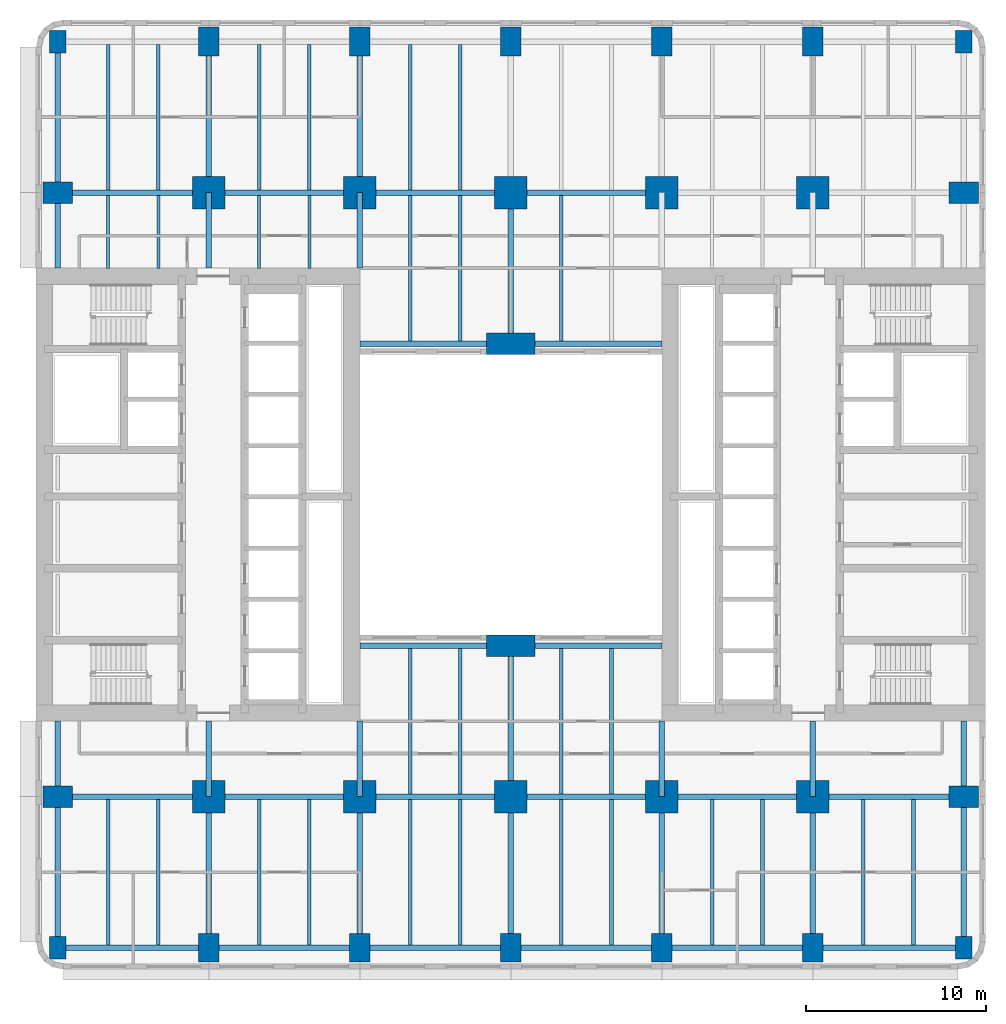
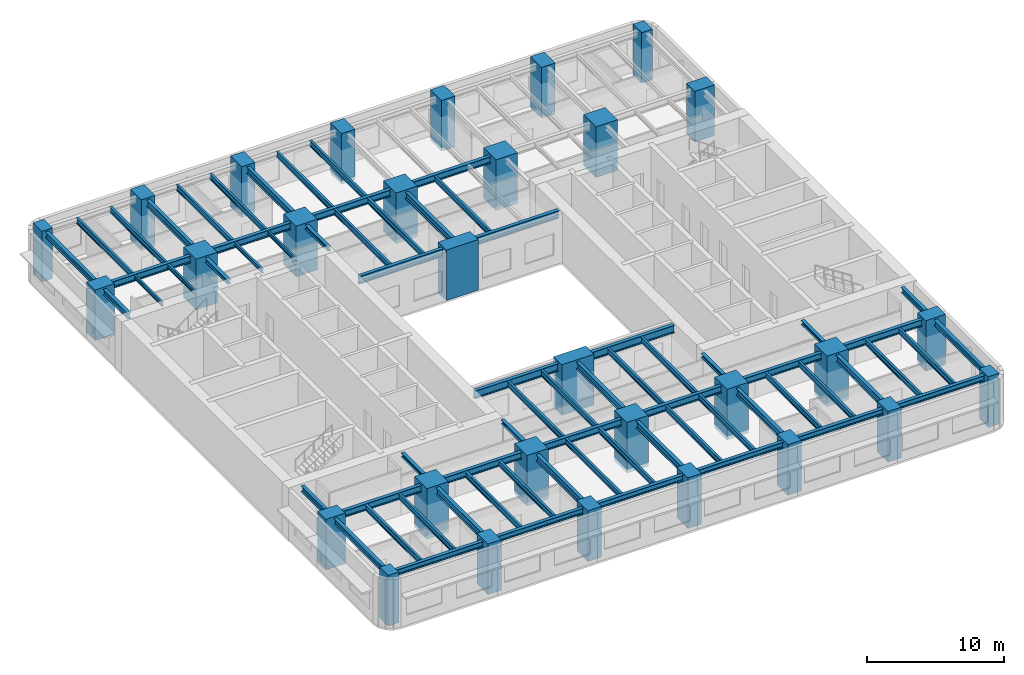
# One storey, part 1 of 14: 70 beams, 30 columns.
"""IFC4 building model written with IfcOpenShell, lengths in metres."""

from ifc_helpers import new_model, si_unit, direction, frame, origin, origin_2d, place, context, subcontext, project, spatial, rectangle, i_section, extrude, material, material_profile, profile_set, type_object, element, save


model = new_model("IFC4")

# Units and contexts
model_context = context("Model", 3, precision=1e-05, world=origin(), true_north=direction((0.0, 1.0)))
body_context = subcontext(model_context, "Body", "Model", "MODEL_VIEW")
ifc_project = project(units=[si_unit("LENGTHUNIT", "METRE"), si_unit("AREAUNIT", "SQUARE_METRE"), si_unit("VOLUMEUNIT", "CUBIC_METRE"), si_unit("PLANEANGLEUNIT", "RADIAN"), si_unit("MASSUNIT", "GRAM", prefix="KILO")], contexts=[model_context])

# Site, building, storey
site_placement = place(None, origin())
site = spatial("IfcSite", under=ifc_project, at=site_placement, CompositionType="ELEMENT")
building_placement = place(site_placement, origin())
building = spatial("IfcBuilding", under=site, at=building_placement, Name="Claustro Exchange Tower", CompositionType="ELEMENT")
storey_placement = place(building_placement, frame((0.0, 0.0, 27.89990234375)))
storey = spatial("IfcBuildingStorey", under=building, at=storey_placement, Name="L06", CompositionType="ELEMENT", Elevation=27.89990234375)

# Columns
ifc_material_1 = material(Name="Concrete HA-70 (C70/85)", Category="concrete")
ifc_material_profile_1 = material_profile(ifc_material_1, rectangle(XDim=1.800048828125, YDim=1.800048828125, at=origin_2d()), Name="RC 1800x1800")
ifc_profile_set_1 = profile_set([ifc_material_profile_1], Name="Concrete HA-70 (C70/85)")
column_type_1 = type_object("IfcColumnType", Name="C14 RC 1800x1800 HA-70 column", PredefinedType="COLUMN", material=ifc_profile_set_1)
for number, where, z_axis, x_axis, name in (
    (1, (8.39990234375, 8.39990234375, 0.0), (0.0, 0.0, 1.0), (1.0, 0.0, 0.0), "Column C14 2/B L06"),
    (2, (8.39990234375, 42.0, 0.0), (0.0, 0.0, 1.0), (1.0, 0.0, 0.0), "Column C14 2/F L06"),
    (3, (16.800048828125, 8.39990234375, 0.0), (0.0, 0.0, 1.0), (1.0, 0.0, 0.0), "Column C14 3/B L06"),
    (4, (16.800048828125, 42.0, 0.0), (0.0, 0.0, 1.0), (1.0, 0.0, 0.0), "Column C14 3/F L06"),
    (5, (25.199951171875, 8.39990234375, 0.0), (0.0, 0.0, 1.0), (1.0, 0.0, 0.0), "Column C14 4/B L06"),
    (6, (25.199951171875, 42.0, 0.0), (0.0, 0.0, 1.0), (1.0, 0.0, 0.0), "Column C14 4/F L06"),
    (7, (33.60009765625, 8.39990234375, 0.0), (0.0, 0.0, 1.0), (1.0, 0.0, 0.0), "Column C14 5/B L06"),
    (8, (33.60009765625, 42.0, 0.0), (0.0, 0.0, 1.0), (1.0, 0.0, 0.0), "Column C14 5/F L06"),
    (9, (42.0, 8.39990234375, 0.0), (0.0, 0.0, 1.0), (1.0, 0.0, 0.0), "Column C14 6/B L06"),
    (10, (42.0, 42.0, 0.0), (0.0, 0.0, 1.0), (1.0, 0.0, 0.0), "Column C14 6/F L06"),
):
    element("IfcColumn", number, at=place(storey_placement, frame(where, z_axis=z_axis, x_axis=x_axis)), inside=storey, type_object=column_type_1, Name=name, PredefinedType="COLUMN", context=body_context, shape_type="SweptSolid", body=[
        extrude(rectangle(XDim=1.800048828125, YDim=1.800048828125, at=origin_2d()), origin(), (0.0, 0.0, 1.0), 4.5),
    ])
ifc_material_2 = material(Name="Concrete HA-70 (C70/85)", Category="concrete")
ifc_material_profile_2 = material_profile(ifc_material_2, rectangle(XDim=1.199951171875, YDim=1.64990234375, at=origin_2d()), Name="RC 1200x1650")
ifc_profile_set_2 = profile_set([ifc_material_profile_2], Name="Concrete HA-70 (C70/85)")
column_type_2 = type_object("IfcColumnType", Name="C19 RC 1200x1650 HA-70 perimeter column", PredefinedType="COLUMN", material=ifc_profile_set_2)
for number, where, z_axis, x_axis, name in (
    (11, (0.0, 8.39990234375, 0.0), (0.0, 0.0, 1.0), (0.0, 1.0, 0.0), "Column C19 1/B L06"),
    (12, (0.0, 42.0, 0.0), (0.0, 0.0, 1.0), (0.0, 1.0, 0.0), "Column C19 1/F L06"),
    (13, (50.39990234375, 8.39990234375, 0.0), (0.0, 0.0, 1.0), (0.0, 1.0, 0.0), "Column C19 7/B L06"),
    (14, (50.39990234375, 42.0, 0.0), (0.0, 0.0, 1.0), (0.0, 1.0, 0.0), "Column C19 7/F L06"),
):
    element("IfcColumn", number, at=place(storey_placement, frame(where, z_axis=z_axis, x_axis=x_axis)), inside=storey, type_object=column_type_2, Name=name, PredefinedType="COLUMN", context=body_context, shape_type="SweptSolid", body=[
        extrude(rectangle(XDim=1.199951171875, YDim=1.64990234375, at=origin_2d()), origin(), (0.0, 0.0, 1.0), 4.5),
    ])
ifc_material_3 = material(Name="Concrete HA-70 (C70/85)", Category="concrete")
ifc_material_profile_3 = material_profile(ifc_material_3, rectangle(XDim=1.14990234375, YDim=1.60009765625, at=origin_2d()), Name="RC 1150x1600")
ifc_profile_set_3 = profile_set([ifc_material_profile_3], Name="Concrete HA-70 (C70/85)")
column_type_3 = type_object("IfcColumnType", Name="C20 RC 1150x1600 HA-70 perimeter column", PredefinedType="COLUMN", material=ifc_profile_set_3)
for number, where, z_axis, x_axis, name in (
    (15, (8.39990234375, 0.0, 0.0), (0.0, 0.0, 1.0), (1.0, 0.0, 0.0), "Column C20 2/A L06"),
    (16, (8.39990234375, 50.39990234375, 0.0), (0.0, 0.0, 1.0), (1.0, 0.0, 0.0), "Column C20 2/G L06"),
    (17, (16.800048828125, 0.0, 0.0), (0.0, 0.0, 1.0), (1.0, 0.0, 0.0), "Column C20 3/A L06"),
    (18, (16.800048828125, 50.39990234375, 0.0), (0.0, 0.0, 1.0), (1.0, 0.0, 0.0), "Column C20 3/G L06"),
    (19, (25.199951171875, 0.0, 0.0), (0.0, 0.0, 1.0), (1.0, 0.0, 0.0), "Column C20 4/A L06"),
    (20, (25.199951171875, 50.39990234375, 0.0), (0.0, 0.0, 1.0), (1.0, 0.0, 0.0), "Column C20 4/G L06"),
    (21, (33.60009765625, 0.0, 0.0), (0.0, 0.0, 1.0), (1.0, 0.0, 0.0), "Column C20 5/A L06"),
    (22, (33.60009765625, 50.39990234375, 0.0), (0.0, 0.0, 1.0), (1.0, 0.0, 0.0), "Column C20 5/G L06"),
    (23, (42.0, 0.0, 0.0), (0.0, 0.0, 1.0), (1.0, 0.0, 0.0), "Column C20 6/A L06"),
    (24, (42.0, 50.39990234375, 0.0), (0.0, 0.0, 1.0), (1.0, 0.0, 0.0), "Column C20 6/G L06"),
):
    element("IfcColumn", number, at=place(storey_placement, frame(where, z_axis=z_axis, x_axis=x_axis)), inside=storey, type_object=column_type_3, Name=name, PredefinedType="COLUMN", context=body_context, shape_type="SweptSolid", body=[
        extrude(rectangle(XDim=1.14990234375, YDim=1.60009765625, at=origin_2d()), origin(), (0.0, 0.0, 1.0), 4.5),
    ])
ifc_material_4 = material(Name="Concrete HA-70 (C70/85)", Category="concrete")
ifc_material_profile_4 = material_profile(ifc_material_4, rectangle(XDim=2.699951171875, YDim=1.199951171875, at=origin_2d()), Name="RC 2700x1200")
ifc_profile_set_4 = profile_set([ifc_material_profile_4], Name="Concrete HA-70 (C70/85)")
column_type_4 = type_object("IfcColumnType", Name="C30 RC 2700x1200 HA-70 light well column", PredefinedType="COLUMN", material=ifc_profile_set_4)
for number, where, z_axis, x_axis, name in (
    (25, (25.199951171875, 16.800048828125, 0.0), (0.0, 0.0, 1.0), (1.0, 0.0, 0.0), "Column C30 4/C L06"),
    (26, (25.199951171875, 33.60009765625, 0.0), (0.0, 0.0, 1.0), (1.0, 0.0, 0.0), "Column C30 4/E L06"),
):
    element("IfcColumn", number, at=place(storey_placement, frame(where, z_axis=z_axis, x_axis=x_axis)), inside=storey, type_object=column_type_4, Name=name, PredefinedType="COLUMN", context=body_context, shape_type="SweptSolid", body=[
        extrude(rectangle(XDim=2.699951171875, YDim=1.199951171875, at=origin_2d()), origin(), (0.0, 0.0, 1.0), 4.5),
    ])
ifc_material_5 = material(Name="Concrete HA-70 (C70/85)", Category="concrete")
ifc_material_profile_5 = material_profile(ifc_material_5, rectangle(XDim=0.89990234375, YDim=1.25, at=origin_2d()), Name="RC 900x1250")
ifc_profile_set_5 = profile_set([ifc_material_profile_5], Name="Concrete HA-70 (C70/85)")
column_type_5 = type_object("IfcColumnType", Name="C35 RC 900x1250 HA-70 corner column", PredefinedType="COLUMN", material=ifc_profile_set_5)
for number, where, z_axis, x_axis, name in (
    (27, (0.0, 0.0, 0.0), (0.0, 0.0, 1.0), (1.0, 0.0, 0.0), "Column C35 1/A L06"),
    (28, (0.0, 50.39990234375, 0.0), (0.0, 0.0, 1.0), (1.0, 0.0, 0.0), "Column C35 1/G L06"),
    (29, (50.39990234375, 0.0, 0.0), (0.0, 0.0, 1.0), (1.0, 0.0, 0.0), "Column C35 7/A L06"),
    (30, (50.39990234375, 50.39990234375, 0.0), (0.0, 0.0, 1.0), (1.0, 0.0, 0.0), "Column C35 7/G L06"),
):
    element("IfcColumn", number, at=place(storey_placement, frame(where, z_axis=z_axis, x_axis=x_axis)), inside=storey, type_object=column_type_5, Name=name, PredefinedType="COLUMN", context=body_context, shape_type="SweptSolid", body=[
        extrude(rectangle(XDim=0.89990234375, YDim=1.25, at=origin_2d()), origin(), (0.0, 0.0, 1.0), 4.5),
    ])

# Beams
ifc_material_6 = material(Name="Steel S355", Category="steel")
ifc_material_profile_6 = material_profile(ifc_material_6, i_section(OverallWidth=0.300048828125, OverallDepth=0.60009765625, WebThickness=0.015380859375, FlangeThickness=0.030029296875, FilletRadius=0.027099609375, at=origin_2d()), Name="HE 600 B")
ifc_profile_set_6 = profile_set([ifc_material_profile_6], Name="Steel S355")
beam_type_1 = type_object("IfcBeamType", Name="B1 HE 600 B floor girder", PredefinedType="BEAM", material=ifc_profile_set_6)
for number, where, z_axis, x_axis, name in (
    (31, (8.39990234375, 0.0, 4.0400390625), (0.0, 1.0, 0.0), (-1.0, 0.0, 0.0), "Beam B1 L07"),
    (32, (8.39990234375, 42.0, 4.0400390625), (0.0, 1.0, 0.0), (-1.0, 0.0, 0.0), "Beam B1 L07"),
    (33, (16.800048828125, 0.0, 4.0400390625), (0.0, 1.0, 0.0), (-1.0, 0.0, 0.0), "Beam B1 L07"),
    (34, (16.800048828125, 42.0, 4.0400390625), (0.0, 1.0, 0.0), (-1.0, 0.0, 0.0), "Beam B1 L07"),
    (35, (25.199951171875, 0.0, 4.0400390625), (0.0, 1.0, 0.0), (-1.0, 0.0, 0.0), "Beam B1 L07"),
):
    element("IfcBeam", number, at=place(storey_placement, frame(where, z_axis=z_axis, x_axis=x_axis)), inside=storey, type_object=beam_type_1, Name=name, PredefinedType="BEAM", context=body_context, shape_type="SweptSolid", body=[
        extrude(i_section(OverallWidth=0.300048828125, OverallDepth=0.60009765625, WebThickness=0.015380859375, FlangeThickness=0.030029296875, FilletRadius=0.027099609375, at=origin_2d()), origin(), (0.0, 0.0, 1.0), 8.39990234375),
    ])
beam_1_placement = place(storey_placement, frame((25.199951171875, 8.39990234375, 4.0400390625), z_axis=(0.0, 1.0, 0.0), x_axis=(-1.0, 0.0, 0.0)))
element("IfcBeam", 36, at=beam_1_placement, inside=storey, type_object=beam_type_1, Name="Beam B1 L07", PredefinedType="BEAM", context=body_context, shape_type="SweptSolid", body=[
    extrude(i_section(OverallWidth=0.300048828125, OverallDepth=0.60009765625, WebThickness=0.015380859375, FlangeThickness=0.030029296875, FilletRadius=0.027099609375, at=origin_2d()), origin(), (0.0, 0.0, 1.0), 8.400146484375),
])
for number, where, z_axis, x_axis, name in (
    (37, (25.199951171875, 33.60009765625, 4.0400390625), (0.0, 1.0, 0.0), (-1.0, 0.0, 0.0), "Beam B1 L07"),
    (38, (33.60009765625, 0.0, 4.0400390625), (0.0, 1.0, 0.0), (-1.0, 0.0, 0.0), "Beam B1 L07"),
    (39, (42.0, 0.0, 4.0400390625), (0.0, 1.0, 0.0), (-1.0, 0.0, 0.0), "Beam B1 L07"),
    (40, (0.0, 8.39990234375, 4.0400390625), (1.0, 0.0, 0.0), (0.0, 1.0, 0.0), "Beam B1 L07"),
):
    element("IfcBeam", number, at=place(storey_placement, frame(where, z_axis=z_axis, x_axis=x_axis)), inside=storey, type_object=beam_type_1, Name=name, PredefinedType="BEAM", context=body_context, shape_type="SweptSolid", body=[
        extrude(i_section(OverallWidth=0.300048828125, OverallDepth=0.60009765625, WebThickness=0.015380859375, FlangeThickness=0.030029296875, FilletRadius=0.027099609375, at=origin_2d()), origin(), (0.0, 0.0, 1.0), 8.39990234375),
    ])
beam_2_placement = place(storey_placement, frame((8.39990234375, 8.39990234375, 4.0400390625), z_axis=(1.0, 0.0, 0.0), x_axis=(0.0, 1.0, 0.0)))
element("IfcBeam", 41, at=beam_2_placement, inside=storey, type_object=beam_type_1, Name="Beam B1 L07", PredefinedType="BEAM", context=body_context, shape_type="SweptSolid", body=[
    extrude(i_section(OverallWidth=0.300048828125, OverallDepth=0.60009765625, WebThickness=0.015380859375, FlangeThickness=0.030029296875, FilletRadius=0.027099609375, at=origin_2d()), origin(), (0.0, 0.0, 1.0), 8.400146484375),
])
beam_3_placement = place(storey_placement, frame((16.800048828125, 8.39990234375, 4.0400390625), z_axis=(1.0, 0.0, 0.0), x_axis=(0.0, 1.0, 0.0)))
element("IfcBeam", 42, at=beam_3_placement, inside=storey, type_object=beam_type_1, Name="Beam B1 L07", PredefinedType="BEAM", context=body_context, shape_type="SweptSolid", body=[
    extrude(i_section(OverallWidth=0.300048828125, OverallDepth=0.60009765625, WebThickness=0.015380859375, FlangeThickness=0.030029296875, FilletRadius=0.027099609375, at=origin_2d()), origin(), (0.0, 0.0, 1.0), 8.39990234375),
])
beam_4_placement = place(storey_placement, frame((25.199951171875, 8.39990234375, 4.0400390625), z_axis=(1.0, 0.0, 0.0), x_axis=(0.0, 1.0, 0.0)))
element("IfcBeam", 43, at=beam_4_placement, inside=storey, type_object=beam_type_1, Name="Beam B1 L07", PredefinedType="BEAM", context=body_context, shape_type="SweptSolid", body=[
    extrude(i_section(OverallWidth=0.300048828125, OverallDepth=0.60009765625, WebThickness=0.015380859375, FlangeThickness=0.030029296875, FilletRadius=0.027099609375, at=origin_2d()), origin(), (0.0, 0.0, 1.0), 8.400146484375),
])
for number, where, z_axis, x_axis, name in (
    (44, (33.60009765625, 8.39990234375, 4.0400390625), (1.0, 0.0, 0.0), (0.0, 1.0, 0.0), "Beam B1 L07"),
    (45, (42.0, 8.39990234375, 4.0400390625), (1.0, 0.0, 0.0), (0.0, 1.0, 0.0), "Beam B1 L07"),
    (46, (0.0, 42.0, 4.0400390625), (1.0, 0.0, 0.0), (0.0, 1.0, 0.0), "Beam B1 L07"),
):
    element("IfcBeam", number, at=place(storey_placement, frame(where, z_axis=z_axis, x_axis=x_axis)), inside=storey, type_object=beam_type_1, Name=name, PredefinedType="BEAM", context=body_context, shape_type="SweptSolid", body=[
        extrude(i_section(OverallWidth=0.300048828125, OverallDepth=0.60009765625, WebThickness=0.015380859375, FlangeThickness=0.030029296875, FilletRadius=0.027099609375, at=origin_2d()), origin(), (0.0, 0.0, 1.0), 8.39990234375),
    ])
beam_5_placement = place(storey_placement, frame((8.39990234375, 42.0, 4.0400390625), z_axis=(1.0, 0.0, 0.0), x_axis=(0.0, 1.0, 0.0)))
element("IfcBeam", 47, at=beam_5_placement, inside=storey, type_object=beam_type_1, Name="Beam B1 L07", PredefinedType="BEAM", context=body_context, shape_type="SweptSolid", body=[
    extrude(i_section(OverallWidth=0.300048828125, OverallDepth=0.60009765625, WebThickness=0.015380859375, FlangeThickness=0.030029296875, FilletRadius=0.027099609375, at=origin_2d()), origin(), (0.0, 0.0, 1.0), 8.400146484375),
])
beam_6_placement = place(storey_placement, frame((16.800048828125, 42.0, 4.0400390625), z_axis=(1.0, 0.0, 0.0), x_axis=(0.0, 1.0, 0.0)))
element("IfcBeam", 48, at=beam_6_placement, inside=storey, type_object=beam_type_1, Name="Beam B1 L07", PredefinedType="BEAM", context=body_context, shape_type="SweptSolid", body=[
    extrude(i_section(OverallWidth=0.300048828125, OverallDepth=0.60009765625, WebThickness=0.015380859375, FlangeThickness=0.030029296875, FilletRadius=0.027099609375, at=origin_2d()), origin(), (0.0, 0.0, 1.0), 8.39990234375),
])
beam_7_placement = place(storey_placement, frame((25.199951171875, 42.0, 4.0400390625), z_axis=(1.0, 0.0, 0.0), x_axis=(0.0, 1.0, 0.0)))
element("IfcBeam", 49, at=beam_7_placement, inside=storey, type_object=beam_type_1, Name="Beam B1 L07", PredefinedType="BEAM", context=body_context, shape_type="SweptSolid", body=[
    extrude(i_section(OverallWidth=0.300048828125, OverallDepth=0.60009765625, WebThickness=0.015380859375, FlangeThickness=0.030029296875, FilletRadius=0.027099609375, at=origin_2d()), origin(), (0.0, 0.0, 1.0), 8.400146484375),
])
ifc_material_7 = material(Name="Steel S355", Category="steel")
ifc_material_profile_7 = material_profile(ifc_material_7, i_section(OverallWidth=0.300048828125, OverallDepth=0.68994140625, WebThickness=0.014404296875, FlangeThickness=0.027099609375, FilletRadius=0.027099609375, at=origin_2d()), Name="HE 700 A")
ifc_profile_set_7 = profile_set([ifc_material_profile_7], Name="Steel S355")
beam_type_2 = type_object("IfcBeamType", Name="B13 HE 700 A light well edge girder", PredefinedType="BEAM", material=ifc_profile_set_7)
beam_8_placement = place(storey_placement, frame((16.800048828125, 16.800048828125, 3.9951171875), z_axis=(1.0, 0.0, 0.0), x_axis=(0.0, 1.0, 0.0)))
element("IfcBeam", 50, at=beam_8_placement, inside=storey, type_object=beam_type_2, Name="Beam B13 L07", PredefinedType="BEAM", context=body_context, shape_type="SweptSolid", body=[
    extrude(i_section(OverallWidth=0.300048828125, OverallDepth=0.68994140625, WebThickness=0.014404296875, FlangeThickness=0.027099609375, FilletRadius=0.027099609375, at=origin_2d()), origin(), (0.0, 0.0, 1.0), 8.39990234375),
])
beam_9_placement = place(storey_placement, frame((25.199951171875, 16.800048828125, 3.9951171875), z_axis=(1.0, 0.0, 0.0), x_axis=(0.0, 1.0, 0.0)))
element("IfcBeam", 51, at=beam_9_placement, inside=storey, type_object=beam_type_2, Name="Beam B13 L07", PredefinedType="BEAM", context=body_context, shape_type="SweptSolid", body=[
    extrude(i_section(OverallWidth=0.300048828125, OverallDepth=0.68994140625, WebThickness=0.014404296875, FlangeThickness=0.027099609375, FilletRadius=0.027099609375, at=origin_2d()), origin(), (0.0, 0.0, 1.0), 8.400146484375),
])
beam_10_placement = place(storey_placement, frame((16.800048828125, 33.60009765625, 3.9951171875), z_axis=(1.0, 0.0, 0.0), x_axis=(0.0, 1.0, 0.0)))
element("IfcBeam", 52, at=beam_10_placement, inside=storey, type_object=beam_type_2, Name="Beam B13 L07", PredefinedType="BEAM", context=body_context, shape_type="SweptSolid", body=[
    extrude(i_section(OverallWidth=0.300048828125, OverallDepth=0.68994140625, WebThickness=0.014404296875, FlangeThickness=0.027099609375, FilletRadius=0.027099609375, at=origin_2d()), origin(), (0.0, 0.0, 1.0), 8.39990234375),
])
beam_11_placement = place(storey_placement, frame((25.199951171875, 33.60009765625, 3.9951171875), z_axis=(1.0, 0.0, 0.0), x_axis=(0.0, 1.0, 0.0)))
element("IfcBeam", 53, at=beam_11_placement, inside=storey, type_object=beam_type_2, Name="Beam B13 L07", PredefinedType="BEAM", context=body_context, shape_type="SweptSolid", body=[
    extrude(i_section(OverallWidth=0.300048828125, OverallDepth=0.68994140625, WebThickness=0.014404296875, FlangeThickness=0.027099609375, FilletRadius=0.027099609375, at=origin_2d()), origin(), (0.0, 0.0, 1.0), 8.400146484375),
])
ifc_material_8 = material(Name="Steel S355", Category="steel")
ifc_material_profile_8 = material_profile(ifc_material_8, i_section(OverallWidth=0.169921875, OverallDepth=0.360107421875, WebThickness=0.008056640625, FlangeThickness=0.0126953125, FilletRadius=0.01806640625, at=origin_2d()), Name="IPE 360")
ifc_profile_set_8 = profile_set([ifc_material_profile_8], Name="Steel S355")
beam_type_3 = type_object("IfcBeamType", Name="B16 IPE 360 short-span beam", PredefinedType="BEAM", material=ifc_profile_set_8)
for number, where, z_axis, x_axis, name in (
    (54, (2.800048828125, 37.7900390625, 4.16015625), (0.0, 1.0, 0.0), (-1.0, 0.0, 0.0), "Beam B16 L07"),
    (55, (5.60009765625, 37.7900390625, 4.16015625), (0.0, 1.0, 0.0), (-1.0, 0.0, 0.0), "Beam B16 L07"),
    (56, (11.199951171875, 37.7900390625, 4.16015625), (0.0, 1.0, 0.0), (-1.0, 0.0, 0.0), "Beam B16 L07"),
    (57, (14.0, 37.7900390625, 4.16015625), (0.0, 1.0, 0.0), (-1.0, 0.0, 0.0), "Beam B16 L07"),
):
    element("IfcBeam", number, at=place(storey_placement, frame(where, z_axis=z_axis, x_axis=x_axis)), inside=storey, type_object=beam_type_3, Name=name, PredefinedType="BEAM", context=body_context, shape_type="SweptSolid", body=[
        extrude(i_section(OverallWidth=0.169921875, OverallDepth=0.360107421875, WebThickness=0.008056640625, FlangeThickness=0.0126953125, FilletRadius=0.01806640625, at=origin_2d()), origin(), (0.0, 0.0, 1.0), 4.06005859375),
    ])
ifc_material_9 = material(Name="Steel S355", Category="steel")
ifc_material_profile_9 = material_profile(ifc_material_9, i_section(OverallWidth=0.199951171875, OverallDepth=0.5, WebThickness=0.01025390625, FlangeThickness=0.01611328125, FilletRadius=0.02099609375, at=origin_2d()), Name="IPE 500")
ifc_profile_set_9 = profile_set([ifc_material_profile_9], Name="Steel S355")
beam_type_4 = type_object("IfcBeamType", Name="B2 IPE 500 secondary beam", PredefinedType="BEAM", material=ifc_profile_set_9)
for number, where, z_axis, x_axis, name in (
    (58, (2.800048828125, 0.14990234375, 4.090087890625), (0.0, 1.0, 0.0), (-1.0, 0.0, 0.0), "Beam B2 L07"),
    (59, (5.60009765625, 0.14990234375, 4.090087890625), (0.0, 1.0, 0.0), (-1.0, 0.0, 0.0), "Beam B2 L07"),
    (60, (2.800048828125, 42.14990234375, 4.090087890625), (0.0, 1.0, 0.0), (-1.0, 0.0, 0.0), "Beam B2 L07"),
    (61, (5.60009765625, 42.14990234375, 4.090087890625), (0.0, 1.0, 0.0), (-1.0, 0.0, 0.0), "Beam B2 L07"),
    (62, (11.199951171875, 0.14990234375, 4.090087890625), (0.0, 1.0, 0.0), (-1.0, 0.0, 0.0), "Beam B2 L07"),
    (63, (14.0, 0.14990234375, 4.090087890625), (0.0, 1.0, 0.0), (-1.0, 0.0, 0.0), "Beam B2 L07"),
    (64, (11.199951171875, 42.14990234375, 4.090087890625), (0.0, 1.0, 0.0), (-1.0, 0.0, 0.0), "Beam B2 L07"),
    (65, (14.0, 42.14990234375, 4.090087890625), (0.0, 1.0, 0.0), (-1.0, 0.0, 0.0), "Beam B2 L07"),
    (66, (19.60009765625, 0.14990234375, 4.090087890625), (0.0, 1.0, 0.0), (-1.0, 0.0, 0.0), "Beam B2 L07"),
    (67, (22.39990234375, 0.14990234375, 4.090087890625), (0.0, 1.0, 0.0), (-1.0, 0.0, 0.0), "Beam B2 L07"),
):
    element("IfcBeam", number, at=place(storey_placement, frame(where, z_axis=z_axis, x_axis=x_axis)), inside=storey, type_object=beam_type_4, Name=name, PredefinedType="BEAM", context=body_context, shape_type="SweptSolid", body=[
        extrude(i_section(OverallWidth=0.199951171875, OverallDepth=0.5, WebThickness=0.01025390625, FlangeThickness=0.01611328125, FilletRadius=0.02099609375, at=origin_2d()), origin(), (0.0, 0.0, 1.0), 8.10009765625),
    ])
for number, where, z_axis, x_axis, name in (
    (68, (19.60009765625, 8.550048828125, 4.090087890625), (0.0, 1.0, 0.0), (-1.0, 0.0, 0.0), "Beam B2 L07"),
    (69, (22.39990234375, 8.550048828125, 4.090087890625), (0.0, 1.0, 0.0), (-1.0, 0.0, 0.0), "Beam B2 L07"),
):
    element("IfcBeam", number, at=place(storey_placement, frame(where, z_axis=z_axis, x_axis=x_axis)), inside=storey, type_object=beam_type_4, Name=name, PredefinedType="BEAM", context=body_context, shape_type="SweptSolid", body=[
        extrude(i_section(OverallWidth=0.199951171875, OverallDepth=0.5, WebThickness=0.01025390625, FlangeThickness=0.01611328125, FilletRadius=0.02099609375, at=origin_2d()), origin(), (0.0, 0.0, 1.0), 8.099853515625),
    ])
for number, where, z_axis, x_axis, name in (
    (70, (19.60009765625, 33.75, 4.090087890625), (0.0, 1.0, 0.0), (-1.0, 0.0, 0.0), "Beam B2 L07"),
    (71, (22.39990234375, 33.75, 4.090087890625), (0.0, 1.0, 0.0), (-1.0, 0.0, 0.0), "Beam B2 L07"),
    (72, (19.60009765625, 42.14990234375, 4.090087890625), (0.0, 1.0, 0.0), (-1.0, 0.0, 0.0), "Beam B2 L07"),
    (73, (22.39990234375, 42.14990234375, 4.090087890625), (0.0, 1.0, 0.0), (-1.0, 0.0, 0.0), "Beam B2 L07"),
    (74, (28.0, 0.14990234375, 4.090087890625), (0.0, 1.0, 0.0), (-1.0, 0.0, 0.0), "Beam B2 L07"),
    (75, (30.800048828125, 0.14990234375, 4.090087890625), (0.0, 1.0, 0.0), (-1.0, 0.0, 0.0), "Beam B2 L07"),
):
    element("IfcBeam", number, at=place(storey_placement, frame(where, z_axis=z_axis, x_axis=x_axis)), inside=storey, type_object=beam_type_4, Name=name, PredefinedType="BEAM", context=body_context, shape_type="SweptSolid", body=[
        extrude(i_section(OverallWidth=0.199951171875, OverallDepth=0.5, WebThickness=0.01025390625, FlangeThickness=0.01611328125, FilletRadius=0.02099609375, at=origin_2d()), origin(), (0.0, 0.0, 1.0), 8.10009765625),
    ])
for number, where, z_axis, x_axis, name in (
    (76, (28.0, 8.550048828125, 4.090087890625), (0.0, 1.0, 0.0), (-1.0, 0.0, 0.0), "Beam B2 L07"),
    (77, (30.800048828125, 8.550048828125, 4.090087890625), (0.0, 1.0, 0.0), (-1.0, 0.0, 0.0), "Beam B2 L07"),
):
    element("IfcBeam", number, at=place(storey_placement, frame(where, z_axis=z_axis, x_axis=x_axis)), inside=storey, type_object=beam_type_4, Name=name, PredefinedType="BEAM", context=body_context, shape_type="SweptSolid", body=[
        extrude(i_section(OverallWidth=0.199951171875, OverallDepth=0.5, WebThickness=0.01025390625, FlangeThickness=0.01611328125, FilletRadius=0.02099609375, at=origin_2d()), origin(), (0.0, 0.0, 1.0), 8.099853515625),
    ])
for number, where, z_axis, x_axis, name in (
    (78, (28.0, 33.75, 4.090087890625), (0.0, 1.0, 0.0), (-1.0, 0.0, 0.0), "Beam B2 L07"),
    (79, (36.39990234375, 0.14990234375, 4.090087890625), (0.0, 1.0, 0.0), (-1.0, 0.0, 0.0), "Beam B2 L07"),
    (80, (39.199951171875, 0.14990234375, 4.090087890625), (0.0, 1.0, 0.0), (-1.0, 0.0, 0.0), "Beam B2 L07"),
    (81, (44.800048828125, 0.14990234375, 4.090087890625), (0.0, 1.0, 0.0), (-1.0, 0.0, 0.0), "Beam B2 L07"),
    (82, (47.60009765625, 0.14990234375, 4.090087890625), (0.0, 1.0, 0.0), (-1.0, 0.0, 0.0), "Beam B2 L07"),
):
    element("IfcBeam", number, at=place(storey_placement, frame(where, z_axis=z_axis, x_axis=x_axis)), inside=storey, type_object=beam_type_4, Name=name, PredefinedType="BEAM", context=body_context, shape_type="SweptSolid", body=[
        extrude(i_section(OverallWidth=0.199951171875, OverallDepth=0.5, WebThickness=0.01025390625, FlangeThickness=0.01611328125, FilletRadius=0.02099609375, at=origin_2d()), origin(), (0.0, 0.0, 1.0), 8.10009765625),
    ])
ifc_material_10 = material(Name="Steel S355", Category="steel")
ifc_material_profile_10 = material_profile(ifc_material_10, i_section(OverallWidth=0.300048828125, OverallDepth=0.360107421875, WebThickness=0.012451171875, FlangeThickness=0.0224609375, FilletRadius=0.027099609375, at=origin_2d()), Name="HE 360 B")
ifc_profile_set_10 = profile_set([ifc_material_profile_10], Name="Steel S355")
beam_type_5 = type_object("IfcBeamType", Name="B29 HE 360 B column to core link beam", PredefinedType="BEAM", material=ifc_profile_set_10)
beam_12_placement = place(storey_placement, frame((8.39990234375, 8.39990234375, 4.16015625), z_axis=(0.0, 1.0, 0.0), x_axis=(-1.0, 0.0, 0.0)))
element("IfcBeam", 83, at=beam_12_placement, inside=storey, type_object=beam_type_5, Name="Beam B29 L07", PredefinedType="BEAM", context=body_context, shape_type="SweptSolid", body=[
    extrude(i_section(OverallWidth=0.300048828125, OverallDepth=0.360107421875, WebThickness=0.012451171875, FlangeThickness=0.0224609375, FilletRadius=0.027099609375, at=origin_2d()), origin(), (0.0, 0.0, 1.0), 4.2001953125),
])
beam_13_placement = place(storey_placement, frame((8.39990234375, 37.800048828125, 4.16015625), z_axis=(0.0, 1.0, 0.0), x_axis=(-1.0, 0.0, 0.0)))
element("IfcBeam", 84, at=beam_13_placement, inside=storey, type_object=beam_type_5, Name="Beam B29 L07", PredefinedType="BEAM", context=body_context, shape_type="SweptSolid", body=[
    extrude(i_section(OverallWidth=0.300048828125, OverallDepth=0.360107421875, WebThickness=0.012451171875, FlangeThickness=0.0224609375, FilletRadius=0.027099609375, at=origin_2d()), origin(), (0.0, 0.0, 1.0), 4.199951171875),
])
beam_14_placement = place(storey_placement, frame((16.800048828125, 8.39990234375, 4.16015625), z_axis=(0.0, 1.0, 0.0), x_axis=(-1.0, 0.0, 0.0)))
element("IfcBeam", 85, at=beam_14_placement, inside=storey, type_object=beam_type_5, Name="Beam B29 L07", PredefinedType="BEAM", context=body_context, shape_type="SweptSolid", body=[
    extrude(i_section(OverallWidth=0.300048828125, OverallDepth=0.360107421875, WebThickness=0.012451171875, FlangeThickness=0.0224609375, FilletRadius=0.027099609375, at=origin_2d()), origin(), (0.0, 0.0, 1.0), 4.2001953125),
])
beam_15_placement = place(storey_placement, frame((16.800048828125, 37.800048828125, 4.16015625), z_axis=(0.0, 1.0, 0.0), x_axis=(-1.0, 0.0, 0.0)))
element("IfcBeam", 86, at=beam_15_placement, inside=storey, type_object=beam_type_5, Name="Beam B29 L07", PredefinedType="BEAM", context=body_context, shape_type="SweptSolid", body=[
    extrude(i_section(OverallWidth=0.300048828125, OverallDepth=0.360107421875, WebThickness=0.012451171875, FlangeThickness=0.0224609375, FilletRadius=0.027099609375, at=origin_2d()), origin(), (0.0, 0.0, 1.0), 4.199951171875),
])
for number, where, z_axis, x_axis, name in (
    (87, (33.60009765625, 8.39990234375, 4.16015625), (0.0, 1.0, 0.0), (-1.0, 0.0, 0.0), "Beam B29 L07"),
    (88, (42.0, 8.39990234375, 4.16015625), (0.0, 1.0, 0.0), (-1.0, 0.0, 0.0), "Beam B29 L07"),
):
    element("IfcBeam", number, at=place(storey_placement, frame(where, z_axis=z_axis, x_axis=x_axis)), inside=storey, type_object=beam_type_5, Name=name, PredefinedType="BEAM", context=body_context, shape_type="SweptSolid", body=[
        extrude(i_section(OverallWidth=0.300048828125, OverallDepth=0.360107421875, WebThickness=0.012451171875, FlangeThickness=0.0224609375, FilletRadius=0.027099609375, at=origin_2d()), origin(), (0.0, 0.0, 1.0), 4.2001953125),
    ])
ifc_material_11 = material(Name="Steel S355", Category="steel")
ifc_material_profile_11 = material_profile(ifc_material_11, i_section(OverallWidth=0.300048828125, OverallDepth=0.5, WebThickness=0.014404296875, FlangeThickness=0.028076171875, FilletRadius=0.027099609375, at=origin_2d()), Name="HE 500 B")
ifc_profile_set_11 = profile_set([ifc_material_profile_11], Name="Steel S355")
beam_type_6 = type_object("IfcBeamType", Name="B3 HE 500 B spandrel edge girder", PredefinedType="SPANDREL", material=ifc_profile_set_11)
beam_16_placement = place(storey_placement, frame((0.0, 0.0, 4.090087890625), z_axis=(0.0, 1.0, 0.0), x_axis=(-1.0, 0.0, 0.0)))
element("IfcBeam", 89, at=beam_16_placement, inside=storey, type_object=beam_type_6, Name="Beam B3 L07", PredefinedType="SPANDREL", context=body_context, shape_type="SweptSolid", body=[
    extrude(i_section(OverallWidth=0.300048828125, OverallDepth=0.5, WebThickness=0.014404296875, FlangeThickness=0.028076171875, FilletRadius=0.027099609375, at=origin_2d()), origin(), (0.0, 0.0, 1.0), 8.39990234375),
])
beam_17_placement = place(storey_placement, frame((0.0, 8.39990234375, 4.090087890625), z_axis=(0.0, 1.0, 0.0), x_axis=(-1.0, 0.0, 0.0)))
element("IfcBeam", 90, at=beam_17_placement, inside=storey, type_object=beam_type_6, Name="Beam B3 L07", PredefinedType="SPANDREL", context=body_context, shape_type="SweptSolid", body=[
    extrude(i_section(OverallWidth=0.300048828125, OverallDepth=0.5, WebThickness=0.014404296875, FlangeThickness=0.028076171875, FilletRadius=0.027099609375, at=origin_2d()), origin(), (0.0, 0.0, 1.0), 4.2001953125),
])
beam_18_placement = place(storey_placement, frame((0.0, 37.800048828125, 4.090087890625), z_axis=(0.0, 1.0, 0.0), x_axis=(-1.0, 0.0, 0.0)))
element("IfcBeam", 91, at=beam_18_placement, inside=storey, type_object=beam_type_6, Name="Beam B3 L07", PredefinedType="SPANDREL", context=body_context, shape_type="SweptSolid", body=[
    extrude(i_section(OverallWidth=0.300048828125, OverallDepth=0.5, WebThickness=0.014404296875, FlangeThickness=0.028076171875, FilletRadius=0.027099609375, at=origin_2d()), origin(), (0.0, 0.0, 1.0), 4.199951171875),
])
for number, where, z_axis, x_axis, name in (
    (92, (0.0, 42.0, 4.090087890625), (0.0, 1.0, 0.0), (-1.0, 0.0, 0.0), "Beam B3 L07"),
    (93, (50.39990234375, 0.0, 4.090087890625), (0.0, 1.0, 0.0), (-1.0, 0.0, 0.0), "Beam B3 L07"),
):
    element("IfcBeam", number, at=place(storey_placement, frame(where, z_axis=z_axis, x_axis=x_axis)), inside=storey, type_object=beam_type_6, Name=name, PredefinedType="SPANDREL", context=body_context, shape_type="SweptSolid", body=[
        extrude(i_section(OverallWidth=0.300048828125, OverallDepth=0.5, WebThickness=0.014404296875, FlangeThickness=0.028076171875, FilletRadius=0.027099609375, at=origin_2d()), origin(), (0.0, 0.0, 1.0), 8.39990234375),
    ])
beam_19_placement = place(storey_placement, frame((50.39990234375, 8.39990234375, 4.090087890625), z_axis=(0.0, 1.0, 0.0), x_axis=(-1.0, 0.0, 0.0)))
element("IfcBeam", 94, at=beam_19_placement, inside=storey, type_object=beam_type_6, Name="Beam B3 L07", PredefinedType="SPANDREL", context=body_context, shape_type="SweptSolid", body=[
    extrude(i_section(OverallWidth=0.300048828125, OverallDepth=0.5, WebThickness=0.014404296875, FlangeThickness=0.028076171875, FilletRadius=0.027099609375, at=origin_2d()), origin(), (0.0, 0.0, 1.0), 4.2001953125),
])
beam_20_placement = place(storey_placement, frame((0.0, 0.0, 4.090087890625), z_axis=(1.0, 0.0, 0.0), x_axis=(0.0, 1.0, 0.0)))
element("IfcBeam", 95, at=beam_20_placement, inside=storey, type_object=beam_type_6, Name="Beam B3 L07", PredefinedType="SPANDREL", context=body_context, shape_type="SweptSolid", body=[
    extrude(i_section(OverallWidth=0.300048828125, OverallDepth=0.5, WebThickness=0.014404296875, FlangeThickness=0.028076171875, FilletRadius=0.027099609375, at=origin_2d()), origin(), (0.0, 0.0, 1.0), 8.39990234375),
])
beam_21_placement = place(storey_placement, frame((8.39990234375, 0.0, 4.090087890625), z_axis=(1.0, 0.0, 0.0), x_axis=(0.0, 1.0, 0.0)))
element("IfcBeam", 96, at=beam_21_placement, inside=storey, type_object=beam_type_6, Name="Beam B3 L07", PredefinedType="SPANDREL", context=body_context, shape_type="SweptSolid", body=[
    extrude(i_section(OverallWidth=0.300048828125, OverallDepth=0.5, WebThickness=0.014404296875, FlangeThickness=0.028076171875, FilletRadius=0.027099609375, at=origin_2d()), origin(), (0.0, 0.0, 1.0), 8.400146484375),
])
beam_22_placement = place(storey_placement, frame((16.800048828125, 0.0, 4.090087890625), z_axis=(1.0, 0.0, 0.0), x_axis=(0.0, 1.0, 0.0)))
element("IfcBeam", 97, at=beam_22_placement, inside=storey, type_object=beam_type_6, Name="Beam B3 L07", PredefinedType="SPANDREL", context=body_context, shape_type="SweptSolid", body=[
    extrude(i_section(OverallWidth=0.300048828125, OverallDepth=0.5, WebThickness=0.014404296875, FlangeThickness=0.028076171875, FilletRadius=0.027099609375, at=origin_2d()), origin(), (0.0, 0.0, 1.0), 8.39990234375),
])
beam_23_placement = place(storey_placement, frame((25.199951171875, 0.0, 4.090087890625), z_axis=(1.0, 0.0, 0.0), x_axis=(0.0, 1.0, 0.0)))
element("IfcBeam", 98, at=beam_23_placement, inside=storey, type_object=beam_type_6, Name="Beam B3 L07", PredefinedType="SPANDREL", context=body_context, shape_type="SweptSolid", body=[
    extrude(i_section(OverallWidth=0.300048828125, OverallDepth=0.5, WebThickness=0.014404296875, FlangeThickness=0.028076171875, FilletRadius=0.027099609375, at=origin_2d()), origin(), (0.0, 0.0, 1.0), 8.400146484375),
])
for number, where, z_axis, x_axis, name in (
    (99, (33.60009765625, 0.0, 4.090087890625), (1.0, 0.0, 0.0), (0.0, 1.0, 0.0), "Beam B3 L07"),
    (100, (42.0, 0.0, 4.090087890625), (1.0, 0.0, 0.0), (0.0, 1.0, 0.0), "Beam B3 L07"),
):
    element("IfcBeam", number, at=place(storey_placement, frame(where, z_axis=z_axis, x_axis=x_axis)), inside=storey, type_object=beam_type_6, Name=name, PredefinedType="SPANDREL", context=body_context, shape_type="SweptSolid", body=[
        extrude(i_section(OverallWidth=0.300048828125, OverallDepth=0.5, WebThickness=0.014404296875, FlangeThickness=0.028076171875, FilletRadius=0.027099609375, at=origin_2d()), origin(), (0.0, 0.0, 1.0), 8.39990234375),
    ])

save(model, "model.ifc")
